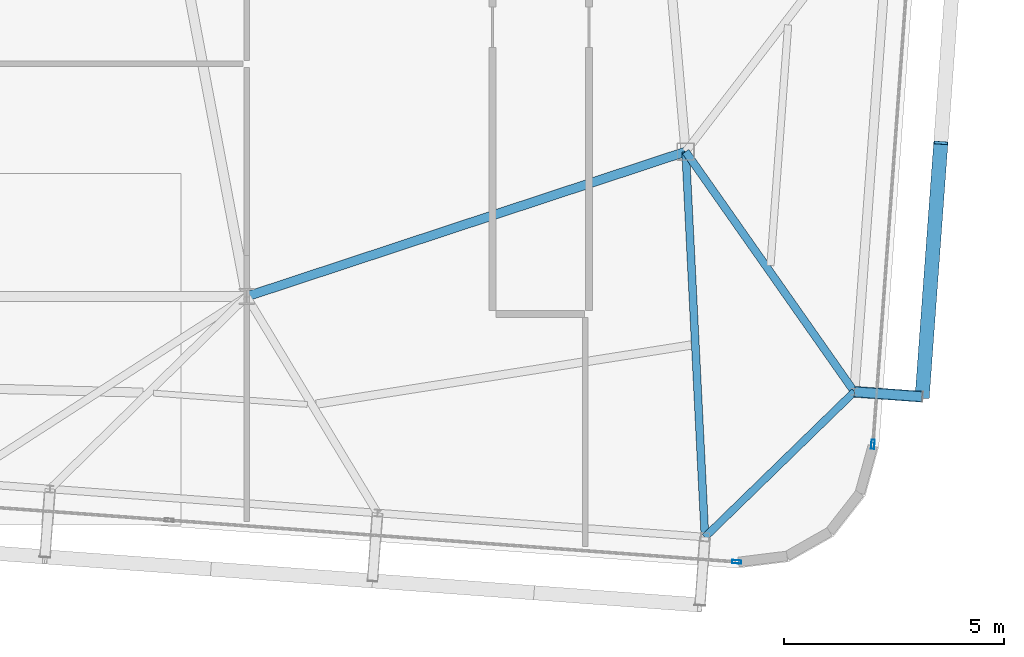
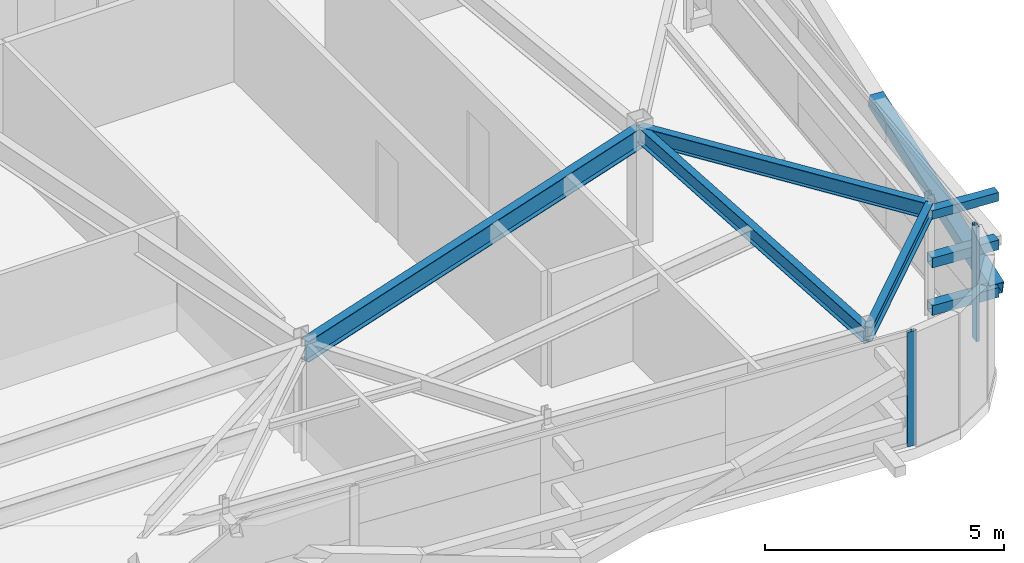
# One storey, part 15 of 35: 6 members, 4 beams, 2 elements without a shape of their own.
"""IFC4 building model written with IfcOpenShell, lengths in metres."""

from ifc_helpers import new_model, si_unit, direction, frame, origin, origin_2d, place, context, subcontext, project, spatial, hollow_rectangle, i_section, extrude, source, transform, mapped, material, layer, layer_set, material_profile, profile_set, type_object, element, aggregate, save


model = new_model("IFC4")

# Units and contexts
model_context = context("Model", 3, precision=1e-05, world=origin(), true_north=direction((0.0, 1.0)))
body_context = subcontext(model_context, "Body", "Model", "MODEL_VIEW")
ifc_project = project(units=[si_unit("LENGTHUNIT", "METRE"), si_unit("AREAUNIT", "SQUARE_METRE"), si_unit("VOLUMEUNIT", "CUBIC_METRE"), si_unit("PLANEANGLEUNIT", "RADIAN"), si_unit("MASSUNIT", "GRAM", prefix="KILO")], contexts=[model_context])

# Site, building, storey
site_placement = place(None, origin())
site = spatial("IfcSite", under=ifc_project, at=site_placement, CompositionType="ELEMENT")
building_placement = place(site_placement, origin())
building = spatial("IfcBuilding", under=site, at=building_placement, Name="Taldren Reach Tower", CompositionType="ELEMENT")
storey_placement = place(building_placement, frame((0.0, 0.0, 236.60009765625)))
storey = spatial("IfcBuildingStorey", under=building, at=storey_placement, Name="L72", CompositionType="ELEMENT", Elevation=236.60009765625)

# Beams
ifc_material_1 = material(Name="Steel Gr 350 (350PLUS)", Category="steel")
ifc_material_profile_1 = material_profile(ifc_material_1, i_section(OverallWidth=0.208984375, OverallDepth=0.532958984375, WebThickness=0.01025390625, FlangeThickness=0.015625, at=origin_2d()), Name="530UB92.4")
ifc_profile_set_1 = profile_set([ifc_material_profile_1], Name="Steel Gr 350 (350PLUS)")
beam_type_1 = type_object("IfcBeamType", Name="BM-UB530A", PredefinedType="BEAM", material=ifc_profile_set_1)
shared_shape_1 = source(origin(), body_context, "Body", "SweptSolid", [
    extrude(i_section(OverallWidth=0.208984375, OverallDepth=0.532958984375, WebThickness=0.01025390625, FlangeThickness=0.015625, at=origin_2d()), origin(), (0.0, 0.0, 1.0), 10.530517578125),
])
beam_1_placement = place(storey_placement, frame((42.0, 9.199951171875, 2.663330078125), z_axis=(0.949627269203, 0.313381635689, 0.0), x_axis=(-0.313381635689, 0.949627269203, 0.0)))
element("IfcBeam", 1, at=beam_1_placement, inside=storey, type_object=beam_type_1, Name="Core-spine girder L72-SP12", PredefinedType="BEAM", context=body_context, shape_type="MappedRepresentation", body=[
    mapped(shared_shape_1, transform((0.0, 0.0, 0.0), scale=1.0)),
])
ifc_material_profile_2 = material_profile(ifc_material_1, i_section(OverallWidth=0.172119140625, OverallDepth=0.35888671875, WebThickness=0.008056640625, FlangeThickness=0.012939453125, at=origin_2d()), Name="360UB56.7")
ifc_profile_set_2 = profile_set([ifc_material_profile_2], Name="Steel Gr 350 (350PLUS)")
beam_type_2 = type_object("IfcBeamType", Name="SP-UB360", PredefinedType="SPANDREL", material=ifc_profile_set_2)
shared_shape_2 = source(origin(), body_context, "Body", "SweptSolid", [
    extrude(i_section(OverallWidth=0.172119140625, OverallDepth=0.35888671875, WebThickness=0.008056640625, FlangeThickness=0.012939453125, at=origin_2d()), origin(), (0.0, 0.0, 1.0), 4.74609375),
])
beam_2_placement = place(storey_placement, frame((52.440185546875, 3.72119140625, 2.75048828125), z_axis=(0.716711338436, 0.697369957309, 0.0), x_axis=(-0.697369957309, 0.716711338436, 0.0)))
element("IfcBeam", 2, at=beam_2_placement, inside=storey, type_object=beam_type_2, Name="Perimeter spandrel B5 S6-E1 L72", PredefinedType="SPANDREL", context=body_context, shape_type="MappedRepresentation", body=[
    mapped(shared_shape_2, transform((0.0, 0.0, 0.0), scale=1.0)),
])
ifc_material_profile_3 = material_profile(ifc_material_1, i_section(OverallWidth=0.177978515625, OverallDepth=0.406005859375, WebThickness=0.0078125, FlangeThickness=0.0126953125, at=origin_2d()), Name="410UB59.7")
ifc_profile_set_3 = profile_set([ifc_material_profile_3], Name="Steel Gr 350 (350PLUS)")
beam_type_3 = type_object("IfcBeamType", Name="BM-UB410", PredefinedType="BEAM", material=ifc_profile_set_3)
shared_shape_3 = source(origin(), body_context, "Body", "SweptSolid", [
    extrude(i_section(OverallWidth=0.177978515625, OverallDepth=0.406005859375, WebThickness=0.0078125, FlangeThickness=0.0126953125, at=origin_2d()), origin(), (0.0, 0.0, 1.0), 8.789794921875),
])
beam_3_placement = place(storey_placement, frame((52.0, 12.5, 2.726806640625), z_axis=(0.050078917367, -0.998745263836, 0.0), x_axis=(0.998745263836, 0.050078917367, 0.0)))
element("IfcBeam", 3, at=beam_3_placement, inside=storey, type_object=beam_type_3, Name="Primary floor girder B5-S6 L72", PredefinedType="BEAM", context=body_context, shape_type="MappedRepresentation", body=[
    mapped(shared_shape_3, transform((0.0, 0.0, 0.0), scale=1.0)),
])
shared_shape_4 = source(origin(), body_context, "Body", "SweptSolid", [
    extrude(i_section(OverallWidth=0.177978515625, OverallDepth=0.406005859375, WebThickness=0.0078125, FlangeThickness=0.0126953125, at=origin_2d()), origin(), (0.0, 0.0, 1.0), 6.68359375),
])
beam_4_placement = place(storey_placement, frame((52.0, 12.5, 2.726806640625), z_axis=(0.574817292651, -0.818281785249, 0.0), x_axis=(0.818281785249, 0.574817292651, 0.0)))
element("IfcBeam", 4, at=beam_4_placement, inside=storey, type_object=beam_type_3, Name="Primary floor girder B5-E1 L72", PredefinedType="BEAM", context=body_context, shape_type="MappedRepresentation", body=[
    mapped(shared_shape_4, transform((0.0, 0.0, 0.0), scale=1.0)),
])

# Members
ifc_material_2 = material(Name="Steel Gr 450 (C450L0)", Category="steel")
ifc_material_profile_4 = material_profile(ifc_material_2, hollow_rectangle(XDim=0.219970703125, YDim=0.219970703125, WallThickness=0.00830078125, at=origin_2d()), Name="220x220x8.2SHS")
ifc_profile_set_4 = profile_set([ifc_material_profile_4], Name="Steel Gr 450 (C450L0)")
member_type_1 = type_object("IfcMemberType", Name="MB-TIE219", PredefinedType="STRUT", material=ifc_profile_set_4)
shared_shape_5 = source(origin(), body_context, "Body", "SweptSolid", [
    extrude(hollow_rectangle(XDim=0.219970703125, YDim=0.219970703125, WallThickness=0.00830078125, at=origin_2d()), origin(), (0.0, 0.0, 1.0), 1.546142578125),
])
member_1_placement = place(storey_placement, frame((55.845703125, 7.030517578125, 2.64990234375), z_axis=(0.997323903953, -0.073109716202, 0.0), x_axis=(0.073109716202, 0.997323903953, 0.0)))
element("IfcMember", 5, at=member_1_placement, inside=storey, type_object=member_type_1, Name="Exoskeleton diaphragm tie strut B5-E1 L72", PredefinedType="STRUT", context=body_context, shape_type="MappedRepresentation", body=[
    mapped(shared_shape_5, transform((0.0, 0.0, 0.0), scale=1.0)),
])
ifc_material_profile_5 = material_profile(ifc_material_2, hollow_rectangle(XDim=0.324951171875, YDim=0.324951171875, WallThickness=0.0126953125, at=origin_2d()), Name="325x325x12.7SHS")
ifc_profile_set_5 = profile_set([ifc_material_profile_5], Name="Steel Gr 450 (C450L0)")
member_type_2 = type_object("IfcMemberType", Name="MB-BR324", PredefinedType="BRACE", material=ifc_profile_set_5)
shared_shape_6 = source(origin(), body_context, "Body", "SweptSolid", [
    extrude(hollow_rectangle(XDim=0.324951171875, YDim=0.324951171875, WallThickness=0.0126953125, at=origin_2d()), origin(), (0.0, 0.0, 1.0), 5.92578125),
])
member_2_placement = place(storey_placement, frame((57.3876953125, 6.91748046875, 0.219970703125), z_axis=(0.071645553297, 0.976134614303, 0.205007632667), x_axis=(-0.997317259472, 0.073200300267, 0.0)))
element("IfcMember", 6, at=member_2_placement, inside=storey, type_object=member_type_2, Name="Exoskeleton Diagrid Brace B5-E1 L72", PredefinedType="BRACE", context=body_context, shape_type="MappedRepresentation", body=[
    mapped(shared_shape_6, transform((0.0, 0.0, 0.0), scale=1.0)),
])
ifc_material_3 = material(Name="Steel Gr 350 (C350L0)", Category="steel")
ifc_material_profile_6 = material_profile(ifc_material_3, hollow_rectangle(XDim=0.25, YDim=0.25, WallThickness=0.010009765625, at=origin_2d()), Name="250x250x10.0SHS")
ifc_profile_set_6 = profile_set([ifc_material_profile_6], Name="Steel Gr 350 (C350L0)")
member_type_3 = type_object("IfcMemberType", Name="MB-POST250", PredefinedType="POST", material=ifc_profile_set_6)
shared_shape_7 = source(origin(), body_context, "Body", "SweptSolid", [
    extrude(hollow_rectangle(XDim=0.25, YDim=0.25, WallThickness=0.010009765625, at=origin_2d()), origin(), (0.0, 0.0, 1.0), 1.546142578125),
])
for number, where, z_axis, x_axis, name in (
    (7, (55.845703125, 7.030517578125, 0.219970703125), (0.997323903953, -0.073109716202, 0.0), (0.073109716202, 0.997323903953, 0.0), "Exoskeleton base diaphragm tie strut B5-E1 L72"),
    (8, (55.845703125, 7.030517578125, 1.434814453125), (0.997323903953, -0.073109716202, 0.0), (0.073109716202, 0.997323903953, 0.0), "Exoskeleton mid-tier diaphragm tie B5-E1 L72"),
):
    element("IfcMember", number, at=place(storey_placement, frame(where, z_axis=z_axis, x_axis=x_axis)), inside=storey, type_object=member_type_3, Name=name, PredefinedType="POST", context=body_context, shape_type="MappedRepresentation", body=[
        mapped(shared_shape_7, transform((0.0, 0.0, 0.0), scale=1.0)),
    ])

# Curtain wall, member
ifc_material_4 = material(Name="Aluminium and Low-E Glass Unitised System", Category="aluminium")
ifc_layer = layer(ifc_material_4, 0.159912109375)
ifc_layer_set = layer_set([ifc_layer], Name="Aluminium and Low-E Glass Unitised System")
curtain_wall_type = type_object("IfcCurtainWallType", Name="CW-SYS-6", PredefinedType="NOTDEFINED", material=ifc_layer_set)
curtain_wall_1_placement = place(storey_placement, origin())
curtain_wall_1 = element("IfcCurtainWall", 9, at=curtain_wall_1_placement, inside=storey, type_object=curtain_wall_type, Name="Unitised curtain wall CW-L72-S", PredefinedType="NOTDEFINED")
ifc_material_5 = material(Name="Anodised Aluminium 6063-T6", Category="aluminium")
ifc_material_profile_7 = material_profile(ifc_material_5, hollow_rectangle(XDim=0.074951171875, YDim=0.2099609375, WallThickness=0.00439453125, at=origin_2d()), Name="ALU-210x75x4.5RHS")
ifc_profile_set_7 = profile_set([ifc_material_profile_7], Name="Anodised Aluminium 6063-T6")
member_type_4 = type_object("IfcMemberType", Name="CW-MUL-200", PredefinedType="MULLION", material=ifc_profile_set_7)
shared_shape_8 = source(origin(), body_context, "Body", "SweptSolid", [
    extrude(hollow_rectangle(XDim=0.074951171875, YDim=0.2099609375, WallThickness=0.00439453125, at=origin_2d()), origin(), (0.0, 0.0, 1.0), 2.929931640625),
])
member_3_placement = place(storey_placement, frame((53.163330078125, 3.15673828125, 0.0), z_axis=(0.0, 0.0, 1.0), x_axis=(0.073238213716, 0.997314476006, 0.0)))
member_3 = element("IfcMember", 10, at=member_3_placement, type_object=member_type_4, Name="CW-6 mullion 4", PredefinedType="MULLION", context=body_context, shape_type="MappedRepresentation", body=[
    mapped(shared_shape_8, transform((0.0, 0.0, 0.0), scale=1.0)),
])
aggregate(curtain_wall_1, [member_3])

curtain_wall_2_placement = place(storey_placement, origin())
curtain_wall_2 = element("IfcCurtainWall", 11, at=curtain_wall_2_placement, inside=storey, type_object=curtain_wall_type, Name="Unitised curtain wall CW-L72-E", PredefinedType="NOTDEFINED")
member_4_placement = place(storey_placement, frame((56.26513671875, 5.834228515625, 0.0), z_axis=(0.0, 0.0, 1.0), x_axis=(-0.997314470951, 0.073238282558, 0.0)))
member_4 = element("IfcMember", 12, at=member_4_placement, type_object=member_type_4, Name="CW-6 mullion 1", PredefinedType="MULLION", context=body_context, shape_type="MappedRepresentation", body=[
    mapped(shared_shape_8, transform((0.0, 0.0, 0.0), scale=1.0)),
])
aggregate(curtain_wall_2, [member_4])

save(model, "model.ifc")
